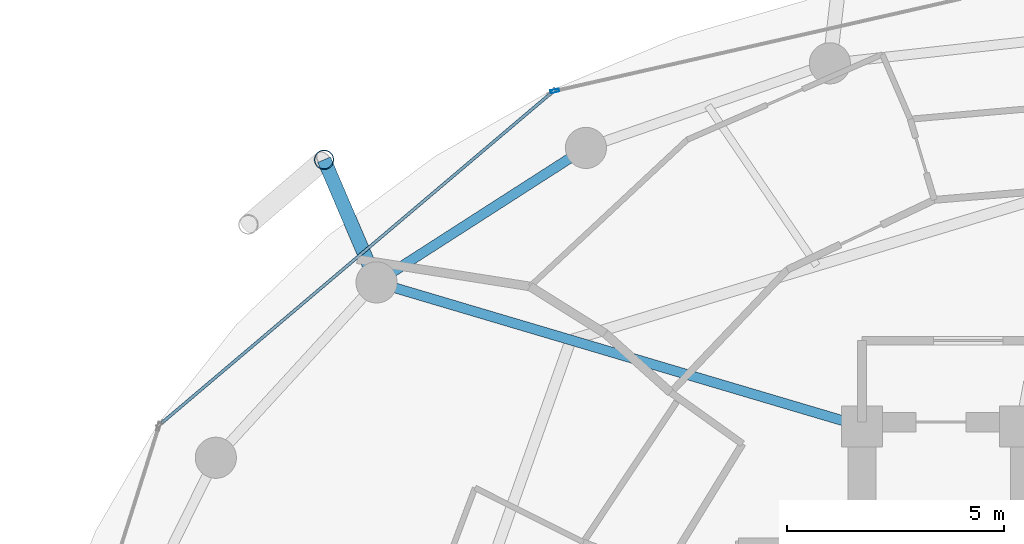
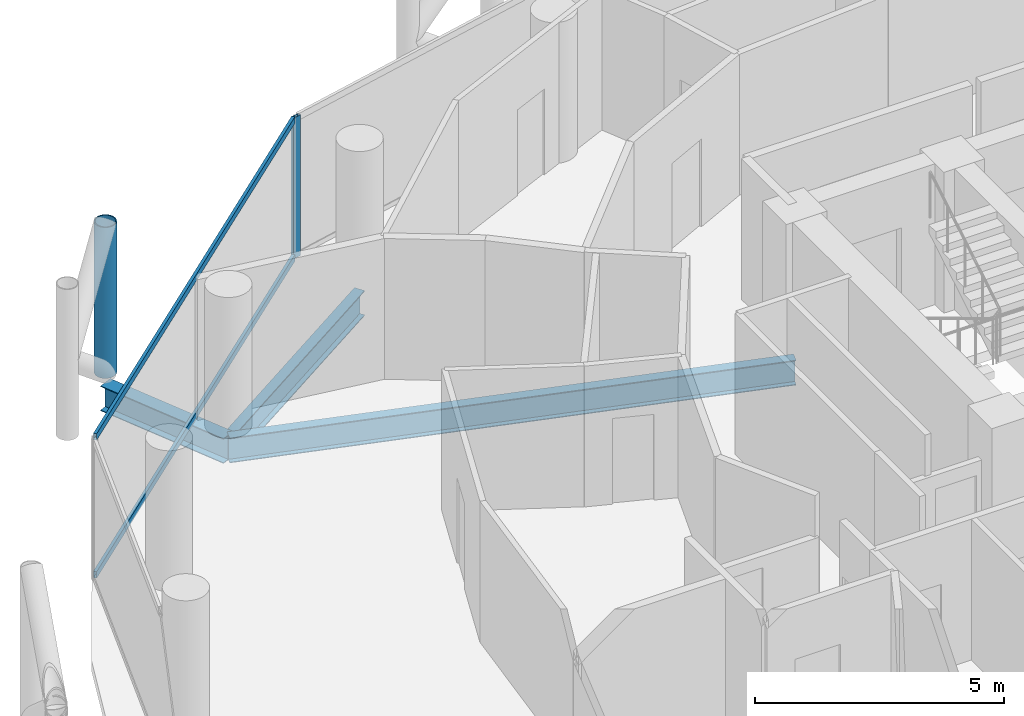
# One storey, part 14 of 26: 4 members, 3 beams, 2 elements without a shape of their own.
"""IFC4 building model written with IfcOpenShell, lengths in metres."""

from ifc_helpers import new_model, si_unit, direction, frame, origin, origin_2d, place, context, subcontext, project, spatial, hollow_rectangle, hollow_circle, i_section, extrude, material, layer, layer_set, material_profile, profile_set, type_object, element, aggregate, save


model = new_model("IFC4")

# Units and contexts
model_context = context("Model", 3, precision=1e-05, world=origin(), true_north=direction((0.0, 1.0)))
body_context = subcontext(model_context, "Body", "Model", "MODEL_VIEW")
ifc_project = project(units=[si_unit("LENGTHUNIT", "METRE"), si_unit("AREAUNIT", "SQUARE_METRE"), si_unit("VOLUMEUNIT", "CUBIC_METRE"), si_unit("PLANEANGLEUNIT", "RADIAN"), si_unit("MASSUNIT", "GRAM", prefix="KILO")], contexts=[model_context])

# Site, building, storey
site_placement = place(None, origin())
site = spatial("IfcSite", under=ifc_project, at=site_placement, CompositionType="ELEMENT")
building_placement = place(site_placement, origin())
building = spatial("IfcBuilding", under=site, at=building_placement, Name="Nuhasar Tower", CompositionType="ELEMENT")
storey_placement = place(building_placement, frame((0.0, 0.0, 147.85009765625)))
storey = spatial("IfcBuildingStorey", under=building, at=storey_placement, Name="L35", CompositionType="ELEMENT", Elevation=147.85009765625)

# Beams
ifc_material_1 = material(Name="Steel S355", Category="steel")
ifc_material_profile_1 = material_profile(ifc_material_1, i_section(OverallWidth=0.22900390625, OverallDepth=0.612060546875, WebThickness=0.011962890625, FlangeThickness=0.01953125, at=origin_2d()), Name="W24X84")
ifc_profile_set_1 = profile_set([ifc_material_profile_1], Name="Steel S355")
beam_type_1 = type_object("IfcBeamType", Name="BM-RAD-W24X84", PredefinedType="BEAM", material=ifc_profile_set_1)
beam_1_placement = place(storey_placement, frame((33.699951171875, 37.300048828125, -0.55615234375), z_axis=(-0.958746492721, 0.284262489076, 0.0), x_axis=(-0.284262489076, -0.958746492721, 0.0)))
element("IfcBeam", 1, at=beam_1_placement, inside=storey, type_object=beam_type_1, Name="L35 Radial Floor Girder 07", PredefinedType="BEAM", context=body_context, shape_type="SweptSolid", body=[
    extrude(i_section(OverallWidth=0.22900390625, OverallDepth=0.612060546875, WebThickness=0.011962890625, FlangeThickness=0.01953125, at=origin_2d()), origin(), (0.0, 0.0, 1.0), 11.693359375),
])
ifc_material_profile_2 = material_profile(ifc_material_1, i_section(OverallWidth=0.22998046875, OverallDepth=0.616943359375, WebThickness=0.01318359375, FlangeThickness=0.022216796875, at=origin_2d()), Name="W24X94")
ifc_profile_set_2 = profile_set([ifc_material_profile_2], Name="Steel S355")
beam_type_2 = type_object("IfcBeamType", Name="BM-RING-W24X94", PredefinedType="SPANDREL", material=ifc_profile_set_2)
beam_2_placement = place(storey_placement, frame((27.324951171875, 43.73095703125, -0.55908203125), z_axis=(-0.841327486207, -0.540525726448, 0.0), x_axis=(0.540525726448, -0.841327486207, 0.0)))
element("IfcBeam", 2, at=beam_2_placement, inside=storey, type_object=beam_type_2, Name="L35 Perimeter Ring Spandrel 09", PredefinedType="SPANDREL", context=body_context, shape_type="SweptSolid", body=[
    extrude(i_section(OverallWidth=0.22998046875, OverallDepth=0.616943359375, WebThickness=0.01318359375, FlangeThickness=0.022216796875, at=origin_2d()), origin(), (0.0, 0.0, 1.0), 5.748046875),
])
ifc_material_profile_3 = material_profile(ifc_material_1, i_section(OverallWidth=0.323974609375, OverallDepth=0.611083984375, WebThickness=0.0126953125, FlangeThickness=0.01904296875, at=origin_2d()), Name="W24X104")
ifc_profile_set_3 = profile_set([ifc_material_profile_3], Name="Steel S355")
beam_type_3 = type_object("IfcBeamType", Name="BM-TIE-W24X104", PredefinedType="BEAM", material=ifc_profile_set_3)
beam_3_placement = place(storey_placement, frame((22.489013671875, 40.6240234375, -0.55615234375), z_axis=(-0.39330721304, 0.919407111225, 0.0), x_axis=(-0.919407111225, -0.39330721304, 0.0)))
element("IfcBeam", 3, at=beam_3_placement, inside=storey, type_object=beam_type_3, Name="L35 Exoskeleton Node Tie Beam 05", PredefinedType="BEAM", context=body_context, shape_type="SweptSolid", body=[
    extrude(i_section(OverallWidth=0.323974609375, OverallDepth=0.611083984375, WebThickness=0.0126953125, FlangeThickness=0.01904296875, at=origin_2d()), origin(), (0.0, 0.0, 1.0), 3.081298828125),
])

# Curtain wall, member
ifc_material_2 = material(Name="Aluminium 6063-T6", Category="aluminium")
ifc_layer = layer(ifc_material_2, 0.199951171875)
ifc_layer_set = layer_set([ifc_layer], Name="Aluminium 6063-T6")
curtain_wall_type = type_object("IfcCurtainWallType", Name="CW-Z2-HTL", PredefinedType="NOTDEFINED", material=ifc_layer_set)
curtain_wall_1_placement = place(storey_placement, origin())
curtain_wall_1 = element("IfcCurtainWall", 4, at=curtain_wall_1_placement, inside=storey, type_object=curtain_wall_type, Name="L35 Unitised Curtain Wall 04", PredefinedType="NOTDEFINED")
ifc_material_profile_4 = material_profile(ifc_material_2, hollow_rectangle(XDim=0.070068359375, YDim=0.199951171875, WallThickness=0.0048828125, at=origin_2d()), Name="CWM-3")
ifc_profile_set_4 = profile_set([ifc_material_profile_4], Name="Aluminium 6063-T6")
member_type_1 = type_object("IfcMemberType", Name="CW-MUL-S3", PredefinedType="MULLION", material=ifc_profile_set_4)
member_1_placement = place(storey_placement, frame((26.604248046875, 45.045654296875, 0.0), z_axis=(0.0, 0.0, 1.0), x_axis=(0.22139729566, -0.975183694221, 0.0)))
member_1 = element("IfcMember", 5, at=member_1_placement, type_object=member_type_1, Name="CW-Z2 mullion 2", PredefinedType="MULLION", context=body_context, shape_type="SweptSolid", body=[
    extrude(hollow_rectangle(XDim=0.070068359375, YDim=0.199951171875, WallThickness=0.0048828125, at=origin_2d()), origin(), (0.0, 0.0, 1.0), 3.449951171875),
])
aggregate(curtain_wall_1, [member_1])

# Curtain wall, members
curtain_wall_2_placement = place(storey_placement, origin())
curtain_wall_2 = element("IfcCurtainWall", 6, at=curtain_wall_2_placement, inside=storey, type_object=curtain_wall_type, Name="L35 Unitised Curtain Wall 05", PredefinedType="NOTDEFINED")
ifc_material_profile_5 = material_profile(ifc_material_2, hollow_rectangle(XDim=0.070068359375, YDim=0.159912109375, WallThickness=0.00439453125, at=origin_2d()), Name="CWT-3")
ifc_profile_set_5 = profile_set([ifc_material_profile_5], Name="Aluminium 6063-T6")
member_type_2 = type_object("IfcMemberType", Name="CW-TRN-S3", PredefinedType="USERDEFINED", material=ifc_profile_set_5)
member_2_placement = place(storey_placement, frame((26.5166015625, 44.99267578125, 0.034912109375), z_axis=(-0.763023915269, -0.646370253592, 0.0), x_axis=(0.646370253592, -0.763023915269, 0.0)))
member_2 = element("IfcMember", 7, at=member_2_placement, type_object=member_type_2, Name="CW-Z2 transom 1.1", ObjectType="TRANSOM", PredefinedType="USERDEFINED", context=body_context, shape_type="SweptSolid", body=[
    extrude(hollow_rectangle(XDim=0.070068359375, YDim=0.159912109375, WallThickness=0.00439453125, at=origin_2d()), origin(), (0.0, 0.0, 1.0), 11.784912109375),
])
member_3_placement = place(storey_placement, frame((26.5166015625, 44.99267578125, 3.414794921875), z_axis=(-0.763023915269, -0.646370253592, 0.0), x_axis=(0.646370253592, -0.763023915269, 0.0)))
member_3 = element("IfcMember", 8, at=member_3_placement, type_object=member_type_2, Name="CW-Z2 transom 1.2", ObjectType="TRANSOM", PredefinedType="USERDEFINED", context=body_context, shape_type="SweptSolid", body=[
    extrude(hollow_rectangle(XDim=0.070068359375, YDim=0.159912109375, WallThickness=0.00439453125, at=origin_2d()), origin(), (0.0, 0.0, 1.0), 11.784912109375),
])
aggregate(curtain_wall_2, [member_2, member_3])

# Member
ifc_material_3 = material(Name="Steel S460", Category="steel")
ifc_material_profile_6 = material_profile(ifc_material_3, hollow_circle(Radius=0.228515625, WallThickness=0.022216796875, at=origin_2d()), Name="HSS457X22.2")
ifc_profile_set_6 = profile_set([ifc_material_profile_6], Name="Steel S460")
member_type_3 = type_object("IfcMemberType", Name="EXO-BRONZE-457", PredefinedType="BRACE", material=ifc_profile_set_6)
member_4_placement = place(storey_placement, frame((21.277099609375, 43.45703125, 0.0), z_axis=(0.0, 0.0, 1.0), x_axis=(1.0, 0.0, 0.0)))
element("IfcMember", 9, at=member_4_placement, inside=storey, type_object=member_type_3, Name="L35 Exoskeleton Chord Column EC-05A", PredefinedType="BRACE", context=body_context, shape_type="SweptSolid", body=[
    extrude(hollow_circle(Radius=0.228515625, WallThickness=0.022216796875, at=origin_2d()), origin(), (0.0, 0.0, 1.0), 3.699951171875),
])

save(model, "model.ifc")
